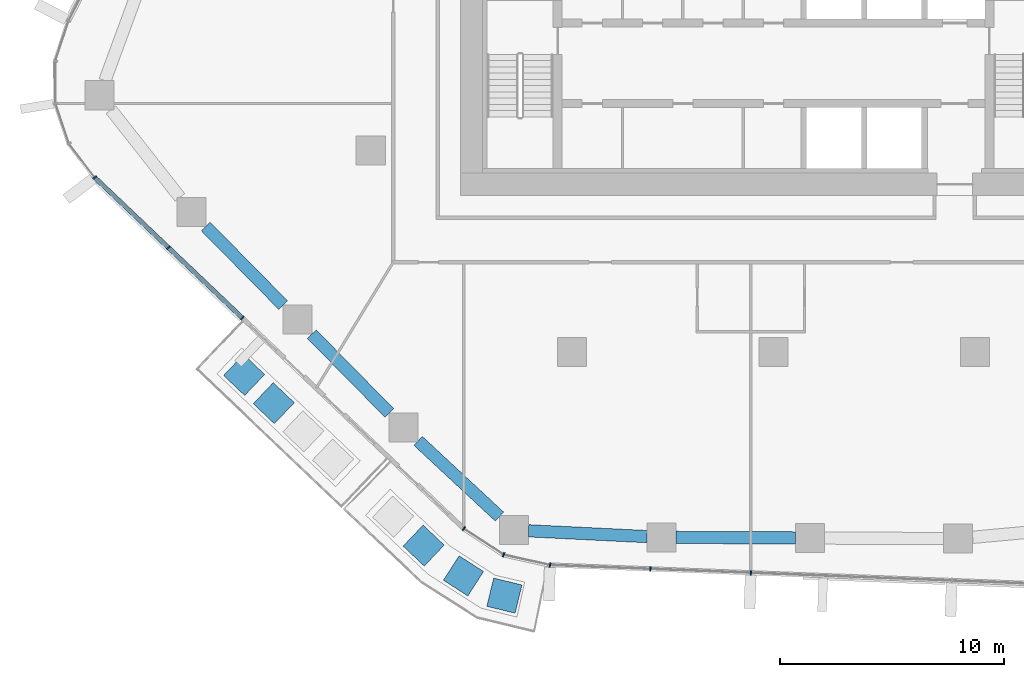
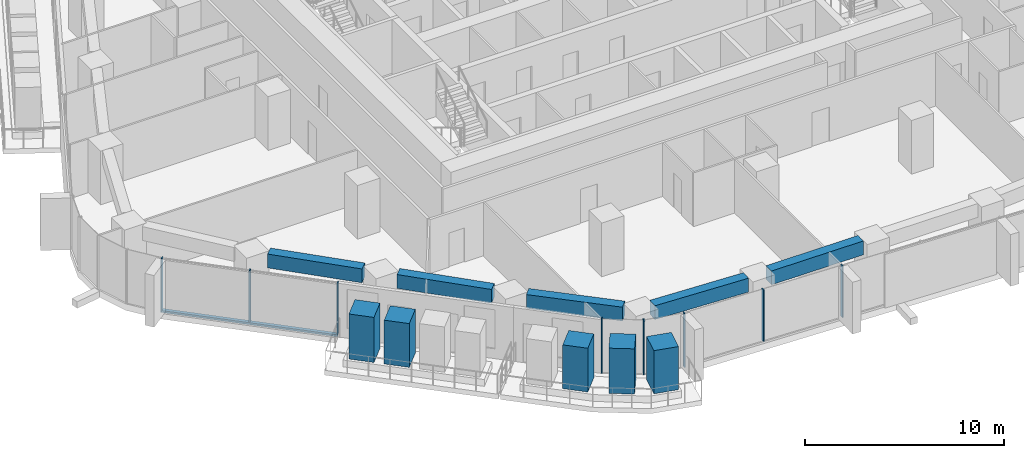
# One storey, part 2 of 23: 14 members, 5 beams, 4 elements without a shape of their own.
"""IFC4 building model written with IfcOpenShell, lengths in metres."""

from ifc_helpers import new_model, si_unit, direction, frame, origin, origin_2d, place, context, subcontext, project, spatial, rectangle, extrude, material, layer, layer_set, material_profile, profile_set, type_object, element, aggregate, save


model = new_model("IFC4")

# Units and contexts
model_context = context("Model", 3, precision=1e-05, world=origin(), true_north=direction((0.0, 1.0)))
body_context = subcontext(model_context, "Body", "Model", "MODEL_VIEW")
ifc_project = project(units=[si_unit("LENGTHUNIT", "METRE"), si_unit("AREAUNIT", "SQUARE_METRE"), si_unit("VOLUMEUNIT", "CUBIC_METRE"), si_unit("PLANEANGLEUNIT", "RADIAN"), si_unit("MASSUNIT", "GRAM", prefix="KILO")], contexts=[model_context])

# Site, building, storey
site_placement = place(None, origin())
site = spatial("IfcSite", under=ifc_project, at=site_placement, CompositionType="ELEMENT")
building_placement = place(site_placement, origin())
building = spatial("IfcBuilding", under=site, at=building_placement, Name="Dongbaek Canopy Tower", CompositionType="ELEMENT")
storey_placement = place(building_placement, frame((0.0, 0.0, 135.89990234375)))
storey = spatial("IfcBuildingStorey", under=building, at=storey_placement, Name="L30", CompositionType="ELEMENT", Elevation=135.89990234375)

# Curtain wall, member
ifc_material_1 = material(Name="Aluminium 6063-T6 pale anodised", Category="aluminium")
ifc_layer = layer(ifc_material_1, 0.199951171875)
ifc_layer_set = layer_set([ifc_layer], Name="CW-1 unitised tower curtain wall")
curtain_wall_type = type_object("IfcCurtainWallType", Name="CW-1 unitised tower curtain wall", PredefinedType="NOTDEFINED", material=ifc_layer_set)
curtain_wall_1_placement = place(storey_placement, origin())
curtain_wall_1 = element("IfcCurtainWall", 1, at=curtain_wall_1_placement, inside=storey, type_object=curtain_wall_type, Name="CW-1 curtain wall K3.1", PredefinedType="NOTDEFINED")
ifc_material_2 = material(Name="Aluminium 6063-T6 pale anodised", Category="aluminium")
ifc_material_profile_1 = material_profile(ifc_material_2, rectangle(XDim=0.199951171875, YDim=0.06005859375, at=origin_2d()), Name="CW-1 mullion 60 x 200")
ifc_profile_set_1 = profile_set([ifc_material_profile_1], Name="Aluminium 6063-T6 pale anodised")
member_type_1 = type_object("IfcMemberType", Name="CW-1 mullion 60 x 200", PredefinedType="MULLION", material=ifc_profile_set_1)
member_1_placement = place(storey_placement, frame((-30.33984375, -10.206298828125, 0.0), z_axis=(0.0, 0.0, 1.0), x_axis=(-0.796707337317, -0.604365302334, 0.0)))
member_1 = element("IfcMember", 2, at=member_1_placement, type_object=member_type_1, Name="CW-1 mullion K3.1.5", PredefinedType="MULLION", context=body_context, shape_type="SweptSolid", body=[
    extrude(rectangle(XDim=0.199951171875, YDim=0.06005859375, at=origin_2d()), origin(), (0.0, 0.0, 1.0), 3.300048828125),
])
aggregate(curtain_wall_1, [member_1])

# Curtain wall, members
curtain_wall_2_placement = place(storey_placement, origin())
curtain_wall_2 = element("IfcCurtainWall", 3, at=curtain_wall_2_placement, inside=storey, type_object=curtain_wall_type, Name="CW-1 curtain wall F3.1", PredefinedType="NOTDEFINED")
member_2_placement = place(storey_placement, frame((-27.04345703125, -13.342529296875, 0.1201171875), z_axis=(0.0, 0.0, 1.0), x_axis=(-0.689301871769, -0.724474243555, 0.0)))
member_2 = element("IfcMember", 4, at=member_2_placement, type_object=member_type_1, Name="CW-1 mullion F3.1.2", PredefinedType="MULLION", context=body_context, shape_type="SweptSolid", body=[
    extrude(rectangle(XDim=0.199951171875, YDim=0.06005859375, at=origin_2d()), origin(), (0.0, 0.0, 1.0), 3.179931640625),
])
member_3_placement = place(storey_placement, frame((-23.741455078125, -16.484375, 0.1201171875), z_axis=(0.0, 0.0, 1.0), x_axis=(-0.689301871769, -0.724474243555, 0.0)))
member_3 = element("IfcMember", 5, at=member_3_placement, type_object=member_type_1, Name="CW-1 mullion F3.1.3", PredefinedType="MULLION", context=body_context, shape_type="SweptSolid", body=[
    extrude(rectangle(XDim=0.199951171875, YDim=0.06005859375, at=origin_2d()), origin(), (0.0, 0.0, 1.0), 3.179931640625),
])

curtain_wall_3_placement = place(storey_placement, origin())
curtain_wall_3 = element("IfcCurtainWall", 6, at=curtain_wall_3_placement, inside=storey, type_object=curtain_wall_type, Name="CW-1 curtain wall K4.1", PredefinedType="NOTDEFINED")
member_4_placement = place(storey_placement, frame((-13.841796875, -25.9033203125, 0.0), z_axis=(0.0, 0.0, 1.0), x_axis=(-0.548059849958, -0.83643911964, 0.0)))
member_4 = element("IfcMember", 7, at=member_4_placement, type_object=member_type_1, Name="CW-1 mullion K4.1.1", PredefinedType="MULLION", context=body_context, shape_type="SweptSolid", body=[
    extrude(rectangle(XDim=0.199951171875, YDim=0.06005859375, at=origin_2d()), origin(), (0.0, 0.0, 1.0), 3.300048828125),
])
member_5_placement = place(storey_placement, frame((-12.062744140625, -27.069091796875, 0.0), z_axis=(0.0, 0.0, 1.0), x_axis=(-0.389013861584, -0.921231901041, 0.0)))
member_5 = element("IfcMember", 8, at=member_5_placement, type_object=member_type_1, Name="CW-1 mullion K4.1.2", PredefinedType="MULLION", context=body_context, shape_type="SweptSolid", body=[
    extrude(rectangle(XDim=0.199951171875, YDim=0.06005859375, at=origin_2d()), origin(), (0.0, 0.0, 1.0), 3.300048828125),
])
member_6_placement = place(storey_placement, frame((-9.98681640625, -27.53125, 0.0), z_axis=(0.0, 0.0, 1.0), x_axis=(-0.21733058588, -0.976098056776, 0.0)))
member_6 = element("IfcMember", 9, at=member_6_placement, type_object=member_type_1, Name="CW-1 mullion K4.1.3", PredefinedType="MULLION", context=body_context, shape_type="SweptSolid", body=[
    extrude(rectangle(XDim=0.199951171875, YDim=0.06005859375, at=origin_2d()), origin(), (0.0, 0.0, 1.0), 3.300048828125),
])
aggregate(curtain_wall_3, [member_4, member_5, member_6])

curtain_wall_4_placement = place(storey_placement, origin())
curtain_wall_4 = element("IfcCurtainWall", 10, at=curtain_wall_4_placement, inside=storey, type_object=curtain_wall_type, Name="CW-1 curtain wall F4.1", PredefinedType="NOTDEFINED")
member_7_placement = place(storey_placement, frame((-5.50341796875, -27.704345703125, 0.1201171875), z_axis=(0.0, 0.0, 1.0), x_axis=(-0.038587229989, -0.999255235504, 0.0)))
member_7 = element("IfcMember", 11, at=member_7_placement, type_object=member_type_1, Name="CW-1 mullion F4.1.2", PredefinedType="MULLION", context=body_context, shape_type="SweptSolid", body=[
    extrude(rectangle(XDim=0.199951171875, YDim=0.06005859375, at=origin_2d()), origin(), (0.0, 0.0, 1.0), 3.179931640625),
])
member_8_placement = place(storey_placement, frame((-1.010986328125, -27.8779296875, 0.1201171875), z_axis=(0.0, 0.0, 1.0), x_axis=(-0.038587229989, -0.999255235504, 0.0)))
member_8 = element("IfcMember", 12, at=member_8_placement, type_object=member_type_1, Name="CW-1 mullion F4.1.3", PredefinedType="MULLION", context=body_context, shape_type="SweptSolid", body=[
    extrude(rectangle(XDim=0.199951171875, YDim=0.06005859375, at=origin_2d()), origin(), (0.0, 0.0, 1.0), 3.179931640625),
])
aggregate(curtain_wall_4, [member_7, member_8])

# Member
ifc_material_3 = material(Name="Aluminium 6063-T6 pale anodised", Category="aluminium")
ifc_material_profile_2 = material_profile(ifc_material_3, rectangle(XDim=0.199951171875, YDim=0.1201171875, at=origin_2d()), Name="CW-1 transom 120 x 200")
ifc_profile_set_2 = profile_set([ifc_material_profile_2], Name="Aluminium 6063-T6 pale anodised")
member_type_2 = type_object("IfcMemberType", Name="CW-1 transom 120 x 200", PredefinedType="USERDEFINED", material=ifc_profile_set_2)
member_9_placement = place(storey_placement, frame((-30.33984375, -10.206298828125, 0.06005859375), z_axis=(0.724472516228, -0.689303687231, 0.0), x_axis=(0.689303687231, 0.724472516228, 0.0)))
member_9 = element("IfcMember", 13, at=member_9_placement, type_object=member_type_2, Name="CW-1 transom F3.1.1", ObjectType="TRANSOM", PredefinedType="USERDEFINED", context=body_context, shape_type="SweptSolid", body=[
    extrude(rectangle(XDim=0.199951171875, YDim=0.1201171875, at=origin_2d()), origin(), (0.0, 0.0, 1.0), 9.10791015625),
])

aggregate(curtain_wall_2, [member_2, member_3, member_9])

# Beams
ifc_material_4 = material(Name="Concrete C80", Category="concrete")
ifc_material_profile_3 = material_profile(ifc_material_4, rectangle(XDim=0.550048828125, YDim=0.85009765625, at=origin_2d()), Name="RC EDGE BEAM 550x850 C80")
ifc_profile_set_3 = profile_set([ifc_material_profile_3], Name="Concrete C80")
beam_type = type_object("IfcBeamType", Name="RC EDGE BEAM 550x850 C80", PredefinedType="BEAM", material=ifc_profile_set_3)
beam_1_placement = place(storey_placement, frame((0.97900390625, -26.316162109375, 2.875), z_axis=(-0.999990328846, 0.004397978357, 0.0), x_axis=(-0.004397978357, -0.999990328846, 0.0)))
element("IfcBeam", 14, at=beam_1_placement, inside=storey, type_object=beam_type, Name="EDGEBEAM:L30:02", PredefinedType="BEAM", context=body_context, shape_type="SweptSolid", body=[
    extrude(rectangle(XDim=0.550048828125, YDim=0.85009765625, at=origin_2d()), origin(), (0.0, 0.0, 1.0), 5.3291015625),
])
beam_2_placement = place(storey_placement, frame((-5.64990234375, -26.258056640625, 2.875), z_axis=(-0.998796128786, 0.049053981722, 0.0), x_axis=(-0.049053981722, -0.998796128786, 0.0)))
element("IfcBeam", 15, at=beam_2_placement, inside=storey, type_object=beam_type, Name="EDGEBEAM:L30:03", PredefinedType="BEAM", context=body_context, shape_type="SweptSolid", body=[
    extrude(rectangle(XDim=0.550048828125, YDim=0.85009765625, at=origin_2d()), origin(), (0.0, 0.0, 1.0), 5.305419921875),
])
beam_3_placement = place(storey_placement, frame((-12.2490234375, -25.361328125, 2.875), z_axis=(-0.732272884801, 0.681011323097, 0.0), x_axis=(-0.681011323097, -0.732272884801, 0.0)))
element("IfcBeam", 16, at=beam_3_placement, inside=storey, type_object=beam_type, Name="EDGEBEAM:L30:04", PredefinedType="BEAM", context=body_context, shape_type="SweptSolid", body=[
    extrude(rectangle(XDim=0.550048828125, YDim=0.85009765625, at=origin_2d()), origin(), (0.0, 0.0, 1.0), 4.962646484375),
])
beam_4_placement = place(storey_placement, frame((-17.173095703125, -20.72705078125, 2.875), z_axis=(-0.701695422573, 0.712477040992, 0.0), x_axis=(-0.712477040992, -0.701695422573, 0.0)))
element("IfcBeam", 17, at=beam_4_placement, inside=storey, type_object=beam_type, Name="EDGEBEAM:L30:05", PredefinedType="BEAM", context=body_context, shape_type="SweptSolid", body=[
    extrude(rectangle(XDim=0.550048828125, YDim=0.85009765625, at=origin_2d()), origin(), (0.0, 0.0, 1.0), 4.9365234375),
])
beam_5_placement = place(storey_placement, frame((-21.9169921875, -15.909912109375, 2.875), z_axis=(-0.70172014863, 0.712452688259, 0.0), x_axis=(-0.712452688259, -0.70172014863, 0.0)))
element("IfcBeam", 18, at=beam_5_placement, inside=storey, type_object=beam_type, Name="EDGEBEAM:L30:06", PredefinedType="BEAM", context=body_context, shape_type="SweptSolid", body=[
    extrude(rectangle(XDim=0.550048828125, YDim=0.85009765625, at=origin_2d()), origin(), (0.0, 0.0, 1.0), 4.936279296875),
])

# Members
ifc_material_5 = material(Name="Concrete C40/50 planter mass with planting", Category="concrete")
ifc_material_profile_4 = material_profile(ifc_material_5, rectangle(XDim=1.300048828125, YDim=1.300048828125, at=origin_2d()), Name="Terrace PLANTER shrub mass 1300 x 1300")
ifc_profile_set_4 = profile_set([ifc_material_profile_4], Name="Concrete C40/50 planter mass with planting")
member_type_3 = type_object("IfcMemberType", Name="Terrace PLANTER shrub mass 1300 x 1300", PredefinedType="USERDEFINED", material=ifc_profile_set_4)
member_10_placement = place(storey_placement, frame((-23.66064453125, -19.03173828125, 0.420166015625), z_axis=(0.0, 0.0, 1.0), x_axis=(-0.689301871769, -0.724474243555, 0.0)))
element("IfcMember", 19, at=member_10_placement, inside=storey, type_object=member_type_3, Name="Planter shrubs L30 3.1", ObjectType="PLANTER", PredefinedType="USERDEFINED", context=body_context, shape_type="SweptSolid", body=[
    extrude(rectangle(XDim=1.300048828125, YDim=1.300048828125, at=origin_2d()), origin(), (0.0, 0.0, 1.0), 2.77001953125),
])
for number, where, z_axis, x_axis, name in (
    (20, (-22.335693359375, -20.29248046875, 0.420166015625), (0.0, 0.0, 1.0), (-0.689301871769, -0.724474243555, 0.0), "Planter shrubs L30 3.2"),
    (21, (-15.63623046875, -26.65966796875, 0.420166015625), (0.0, 0.0, 1.0), (-0.687975835492, -0.72573359422, 0.0), "Planter shrubs L30 7.2"),
):
    element("IfcMember", number, at=place(storey_placement, frame(where, z_axis=z_axis, x_axis=x_axis)), inside=storey, type_object=member_type_3, Name=name, ObjectType="PLANTER", PredefinedType="USERDEFINED", context=body_context, shape_type="SweptSolid", body=[
        extrude(rectangle(XDim=1.300048828125, YDim=1.300048828125, at=origin_2d()), origin(), (0.0, 0.0, 1.0), 2.68994140625),
    ])
member_11_placement = place(storey_placement, frame((-13.85693359375, -28.012939453125, 0.420166015625), z_axis=(0.0, 0.0, 1.0), x_axis=(-0.541448947482, -0.840733630391, 0.0)))
element("IfcMember", 22, at=member_11_placement, inside=storey, type_object=member_type_3, Name="Planter shrubs L30 7.3", ObjectType="PLANTER", PredefinedType="USERDEFINED", context=body_context, shape_type="SweptSolid", body=[
    extrude(rectangle(XDim=1.300048828125, YDim=1.300048828125, at=origin_2d()), origin(), (0.0, 0.0, 1.0), 2.780029296875),
])
member_12_placement = place(storey_placement, frame((-12.027099609375, -28.896728515625, 0.420166015625), z_axis=(0.0, 0.0, 1.0), x_axis=(-0.235066563542, -0.971979274833, 0.0)))
element("IfcMember", 23, at=member_12_placement, inside=storey, type_object=member_type_3, Name="Planter shrubs L30 7.4", ObjectType="PLANTER", PredefinedType="USERDEFINED", context=body_context, shape_type="SweptSolid", body=[
    extrude(rectangle(XDim=1.300048828125, YDim=1.300048828125, at=origin_2d()), origin(), (0.0, 0.0, 1.0), 2.64990234375),
])

save(model, "model.ifc")
